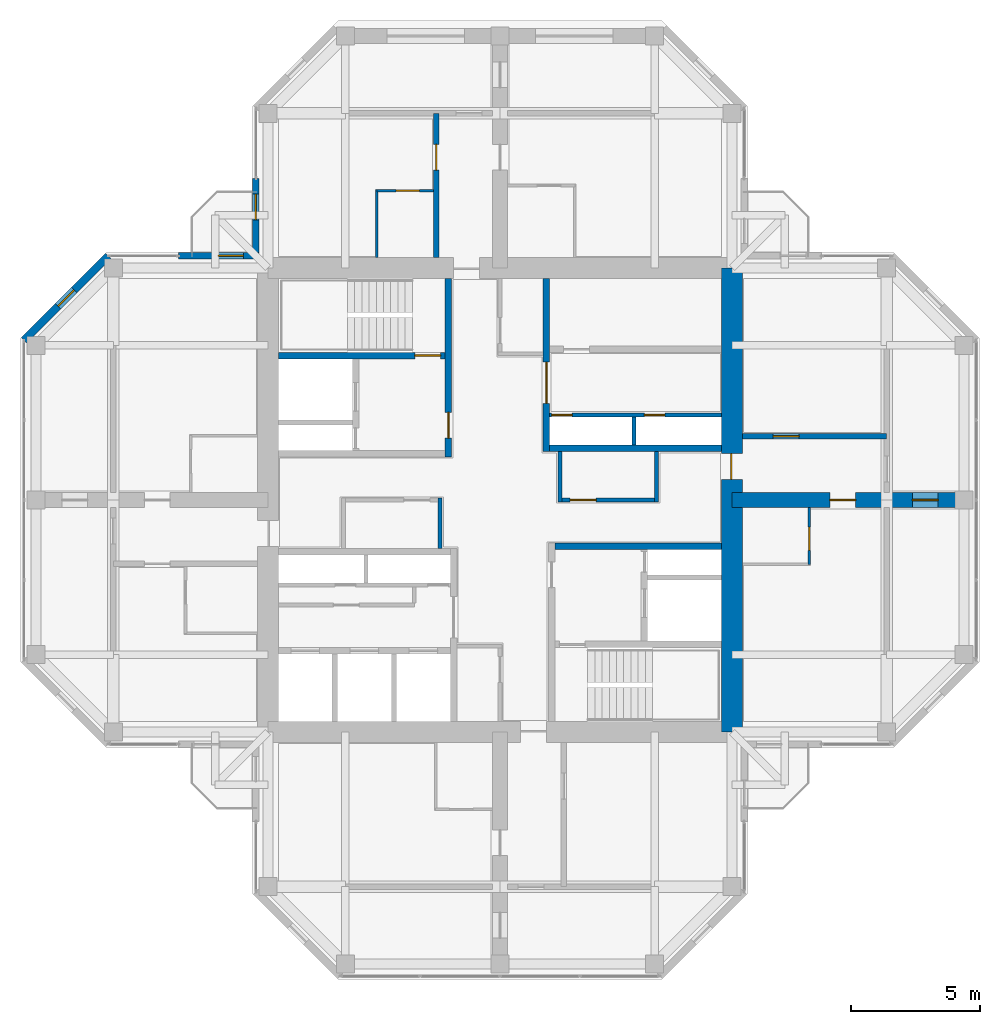
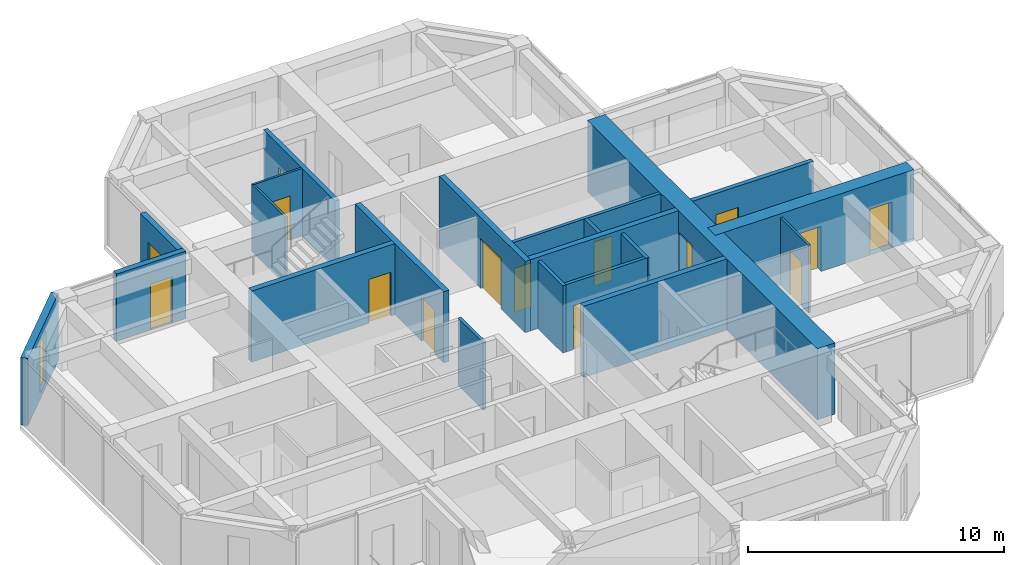
# One storey, part 10 of 13: 21 walls, 15 doors, 1 window, 16 openings.
"""IFC4 building model written with IfcOpenShell, lengths in metres."""

from ifc_helpers import new_model, si_unit, direction, frame, frame_2d, origin, place, context, subcontext, project, spatial, rectangle, hollow_rectangle, extrude, material, layer, layer_set, constituent, constituent_set, type_object, element, fill, save


model = new_model("IFC4")

# Units and contexts
model_context = context("Model", 3, precision=1e-05, world=origin(), true_north=direction((0.0, 1.0)))
body_context = subcontext(model_context, "Body", "Model", "MODEL_VIEW")
ifc_project = project(units=[si_unit("LENGTHUNIT", "METRE"), si_unit("AREAUNIT", "SQUARE_METRE"), si_unit("VOLUMEUNIT", "CUBIC_METRE"), si_unit("PLANEANGLEUNIT", "RADIAN"), si_unit("MASSUNIT", "GRAM", prefix="KILO")], contexts=[model_context])

# Site, building, storey
site_placement = place(None, origin())
site = spatial("IfcSite", under=ifc_project, at=site_placement, CompositionType="ELEMENT")
building_placement = place(site_placement, origin())
building = spatial("IfcBuilding", under=site, at=building_placement, Name="Torre Cruceta", CompositionType="ELEMENT")
storey_placement = place(building_placement, frame((0.0, 0.0, 267.89990234375)))
storey = spatial("IfcBuildingStorey", under=building, at=storey_placement, Name="L69", CompositionType="ELEMENT", Elevation=267.89990234375)

# Wall
ifc_material_1 = material(Name="Water-resistant plasterboard on steel studs", Category="steel")
ifc_layer_1 = layer(ifc_material_1, 0.10009765625)
ifc_layer_set_1 = layer_set([ifc_layer_1], Name="Water-resistant plasterboard on steel studs")
wall_type_1 = type_object("IfcWallType", Name="BATHROOM WALL 100", PredefinedType="PARTITIONING", material=ifc_layer_set_1)
wall_1_placement = place(storey_placement, frame((-4.77490234375, 9.39990234375, 0.0), z_axis=(0.0, 0.0, 1.0), x_axis=(0.0, 1.0, 0.0)))
element("IfcWall", 1, at=wall_1_placement, inside=storey, type_object=wall_type_1, Name="PT4 L69-N-U1LBB", PredefinedType="PARTITIONING", context=body_context, shape_type="SweptSolid", body=[
    extrude(rectangle(XDim=2.650146484375, YDim=0.10009765625, at=frame_2d((1.3251953125, 0.0))), origin(), (0.0, 0.0, 1.0), 3.22021484375),
])

# Wall, opening, door
wall_2_placement = place(storey_placement, frame((-2.574951171875, 12.0, 0.0), z_axis=(0.0, 0.0, 1.0), x_axis=(-1.0, 0.0, 0.0)))
wall_2 = element("IfcWall", 2, at=wall_2_placement, inside=storey, type_object=wall_type_1, Name="PT4 L69-N-U1LBS", PredefinedType="PARTITIONING", context=body_context, shape_type="SweptSolid", body=[
    extrude(rectangle(XDim=2.199951171875, YDim=0.10009765625, at=frame_2d((1.10009765625, 0.0))), origin(), (0.0, 0.0, 1.0), 3.22021484375),
])
opening_1_placement = place(wall_2_placement, frame((0.550048828125, 0.0, 0.0)))
opening_1 = element("IfcOpeningElement", 3, at=opening_1_placement, cuts=wall_2, Name="Opening D7", PredefinedType="OPENING", context=body_context, shape_type="SweptSolid", body=[
    extrude(rectangle(XDim=0.89990234375, YDim=2.10009765625, at=frame_2d((0.449951171875, 1.050048828125))), frame((0.0, 0.06005859375, 0.0), z_axis=(0.0, -1.0, 0.0), x_axis=(1.0, 0.0, 0.0)), (0.0, 0.0, 1.0), 0.1201171875),
])
ifc_material_2 = material(Name="Timber door", Category="wood")
door_type_1 = type_object("IfcDoorType", Name="BATHROOM DOOR 900X2100", OperationType="SINGLE_SWING_LEFT", PredefinedType="DOOR", material=ifc_material_2)
door_1_placement = place(opening_1_placement, origin())
door_1 = element("IfcDoor", 4, at=door_1_placement, inside=storey, type_object=door_type_1, Name="D7 L69-N-U1LBS-D1", OperationType="SINGLE_SWING_LEFT", OverallHeight=2.10009765625, OverallWidth=0.89990234375, PredefinedType="DOOR", context=body_context, shape_type="SweptSolid", body=[
    extrude(rectangle(XDim=0.89990234375, YDim=2.10009765625, at=frame_2d((0.449951171875, 1.050048828125))), frame((0.0, 0.02490234375, 0.0), z_axis=(0.0, -1.0, 0.0), x_axis=(1.0, 0.0, 0.0)), (0.0, 0.0, 1.0), 0.050048828125),
])
fill(opening_1, door_1)

wall_3_placement = place(storey_placement, frame((12.0, -2.5, 0.0), z_axis=(0.0, 0.0, 1.0), x_axis=(0.0, 1.0, 0.0)))
wall_3 = element("IfcWall", 5, at=wall_3_placement, inside=storey, type_object=wall_type_1, Name="PT4 L69-E-U1RBS", PredefinedType="PARTITIONING", context=body_context, shape_type="SweptSolid", body=[
    extrude(rectangle(XDim=2.199951171875, YDim=0.10009765625, at=frame_2d((1.10009765625, 0.0))), origin(), (0.0, 0.0, 1.0), 3.22021484375),
])
opening_2_placement = place(wall_3_placement, frame((0.550048828125, 0.0, 0.0)))
opening_2 = element("IfcOpeningElement", 6, at=opening_2_placement, cuts=wall_3, Name="Opening D7", PredefinedType="OPENING", context=body_context, shape_type="SweptSolid", body=[
    extrude(rectangle(XDim=0.89990234375, YDim=2.10009765625, at=frame_2d((0.449951171875, 1.050048828125))), frame((0.0, 0.06005859375, 0.0), z_axis=(0.0, -1.0, 0.0), x_axis=(1.0, 0.0, 0.0)), (0.0, 0.0, 1.0), 0.1201171875),
])
door_2_placement = place(opening_2_placement, origin())
door_2 = element("IfcDoor", 7, at=door_2_placement, inside=storey, type_object=door_type_1, Name="D7 L69-E-U1RBS-D1", OperationType="SINGLE_SWING_LEFT", OverallHeight=2.10009765625, OverallWidth=0.89990234375, PredefinedType="DOOR", context=body_context, shape_type="SweptSolid", body=[
    extrude(rectangle(XDim=0.89990234375, YDim=2.10009765625, at=frame_2d((0.449951171875, 1.050048828125))), frame((0.0, 0.02490234375, 0.0), z_axis=(0.0, -1.0, 0.0), x_axis=(1.0, 0.0, 0.0)), (0.0, 0.0, 1.0), 0.050048828125),
])
fill(opening_2, door_2)

ifc_material_3 = material(Name="Concrete G60 (fck 60 MPa)", Category="concrete")
ifc_layer_2 = layer(ifc_material_3, 0.25)
ifc_layer_set_2 = layer_set([ifc_layer_2], Name="Concrete G60 (fck 60 MPa)")
wall_type_2 = type_object("IfcWallType", Name="CORE INNER WALL 250 G60", PredefinedType="SHEAR", material=ifc_layer_set_2)
wall_4_placement = place(storey_placement, frame((1.800048828125, 1.875, 0.0), z_axis=(0.0, 0.0, 1.0), x_axis=(0.0, 1.0, 0.0)))
wall_4 = element("IfcWall", 8, at=wall_4_placement, inside=storey, type_object=wall_type_2, Name="CW4 L69 NE-CU", PredefinedType="SHEAR", context=body_context, shape_type="SweptSolid", body=[
    extrude(rectangle(XDim=6.72509765625, YDim=0.25, at=frame_2d((3.362548828125, 0.0))), origin(), (0.0, 0.0, 1.0), 3.400146484375),
])
opening_3_placement = place(wall_4_placement, frame((1.875, 0.0, 0.0)))
opening_3 = element("IfcOpeningElement", 9, at=opening_3_placement, cuts=wall_4, Name="Opening D15", PredefinedType="OPENING", context=body_context, shape_type="SweptSolid", body=[
    extrude(rectangle(XDim=1.60009765625, YDim=2.39990234375, at=frame_2d((0.800048828125, 1.199951171875))), frame((0.0, 0.135009765625, 0.0), z_axis=(0.0, -1.0, 0.0), x_axis=(1.0, 0.0, 0.0)), (0.0, 0.0, 1.0), 0.27001953125),
])
ifc_material_4 = material(Name="Steel DX51D", Category="steel")
ifc_constituent_1 = constituent(ifc_material_4, Name="Leaf and frame")
ifc_material_5 = material(Name="Polyester powder coating", Category="paint")
ifc_constituent_2 = constituent(ifc_material_5, Name="Finish")
ifc_constituent_set_1 = constituent_set(constituents=[ifc_constituent_1, ifc_constituent_2], Name="Steel fire door")
door_type_2 = type_object("IfcDoorType", Name="CORE ROOM DOUBLE DOOR 1600X2400", OperationType="DOUBLE_DOOR_SINGLE_SWING", PredefinedType="DOOR", material=ifc_constituent_set_1)
door_3_placement = place(opening_3_placement, frame((1.60009765625, 0.0, 0.0), z_axis=(0.0, 0.0, 1.0), x_axis=(-1.0, 0.0, 0.0)))
door_3 = element("IfcDoor", 10, at=door_3_placement, inside=storey, type_object=door_type_2, Name="D15 L69 NE-LOBBY", OperationType="DOUBLE_DOOR_SINGLE_SWING", OverallHeight=2.39990234375, OverallWidth=1.60009765625, PredefinedType="DOOR", context=body_context, shape_type="SweptSolid", body=[
    extrude(rectangle(XDim=1.60009765625, YDim=2.39990234375, at=frame_2d((0.800048828125, 1.199951171875))), frame((0.0, 0.025146484375, 0.0), z_axis=(0.0, -1.0, 0.0), x_axis=(1.0, 0.0, 0.0)), (0.0, 0.0, 1.0), 0.050048828125),
])
fill(opening_3, door_3)

# Wall
wall_5_placement = place(storey_placement, frame((1.925048828125, 2.0, 0.0), z_axis=(0.0, 0.0, 1.0), x_axis=(1.0, 0.0, 0.0)))
element("IfcWall", 11, at=wall_5_placement, inside=storey, type_object=wall_type_2, Name="CW4 L69 NE-CV", PredefinedType="SHEAR", context=body_context, shape_type="SweptSolid", body=[
    extrude(rectangle(XDim=6.675048828125, YDim=0.25, at=frame_2d((3.33740234375, 0.0))), origin(), (0.0, 0.0, 1.0), 3.400146484375),
])

# Wall, opening, door
wall_6_placement = place(storey_placement, frame((-2.0, 1.675048828125, 0.0), z_axis=(0.0, 0.0, 1.0), x_axis=(0.0, 1.0, 0.0)))
wall_6 = element("IfcWall", 12, at=wall_6_placement, inside=storey, type_object=wall_type_2, Name="CW4 L69 NW-CU", PredefinedType="SHEAR", context=body_context, shape_type="SweptSolid", body=[
    extrude(rectangle(XDim=6.925048828125, YDim=0.25, at=frame_2d((3.46240234375, 0.0))), origin(), (0.0, 0.0, 1.0), 3.400146484375),
])
opening_4_placement = place(wall_6_placement, frame((0.72509765625, 0.0, 0.0)))
opening_4 = element("IfcOpeningElement", 13, at=opening_4_placement, cuts=wall_6, Name="Opening D3", PredefinedType="OPENING", context=body_context, shape_type="SweptSolid", body=[
    extrude(rectangle(XDim=1.0, YDim=2.10009765625, at=frame_2d((0.5, 1.050048828125))), frame((0.0, 0.135009765625, 0.0), z_axis=(0.0, -1.0, 0.0), x_axis=(1.0, 0.0, 0.0)), (0.0, 0.0, 1.0), 0.27001953125),
])
ifc_material_6 = material(Name="Steel DX51D", Category="steel")
ifc_constituent_3 = constituent(ifc_material_6, Name="Leaf and frame")
ifc_material_7 = material(Name="Polyester powder coating", Category="paint")
ifc_constituent_4 = constituent(ifc_material_7, Name="Finish")
ifc_constituent_set_2 = constituent_set(constituents=[ifc_constituent_3, ifc_constituent_4], Name="Steel fire door")
door_type_3 = type_object("IfcDoorType", Name="FIRE DOOR 1000X2100", OperationType="SINGLE_SWING_LEFT", PredefinedType="DOOR", material=ifc_constituent_set_2)
door_4_placement = place(opening_4_placement, origin())
door_4 = element("IfcDoor", 14, at=door_4_placement, inside=storey, type_object=door_type_3, Name="D3 L69 NW-LOBBY", OperationType="SINGLE_SWING_LEFT", OverallHeight=2.10009765625, OverallWidth=1.0, PredefinedType="DOOR", context=body_context, shape_type="SweptSolid", body=[
    extrude(rectangle(XDim=1.0, YDim=2.10009765625, at=frame_2d((0.5, 1.050048828125))), frame((0.0, 0.02490234375, 0.0), z_axis=(0.0, -1.0, 0.0), x_axis=(1.0, 0.0, 0.0)), (0.0, 0.0, 1.0), 0.050048828125),
])
fill(opening_4, door_4)

wall_7_placement = place(storey_placement, frame((-2.125, 5.60009765625, 0.0), z_axis=(0.0, 0.0, 1.0), x_axis=(-1.0, 0.0, 0.0)))
wall_7 = element("IfcWall", 15, at=wall_7_placement, inside=storey, type_object=wall_type_2, Name="CW4 L69 NW-SV", PredefinedType="SHEAR", context=body_context, shape_type="SweptSolid", body=[
    extrude(rectangle(XDim=6.47509765625, YDim=0.25, at=frame_2d((3.237548828125, 0.0))), origin(), (0.0, 0.0, 1.0), 3.400146484375),
])
opening_5_placement = place(wall_7_placement, frame((0.175048828125, 0.0, 0.0)))
opening_5 = element("IfcOpeningElement", 16, at=opening_5_placement, cuts=wall_7, Name="Opening D3", PredefinedType="OPENING", context=body_context, shape_type="SweptSolid", body=[
    extrude(rectangle(XDim=1.0, YDim=2.10009765625, at=frame_2d((0.5, 1.050048828125))), frame((0.0, 0.135009765625, 0.0), z_axis=(0.0, -1.0, 0.0), x_axis=(1.0, 0.0, 0.0)), (0.0, 0.0, 1.0), 0.27001953125),
])
door_5_placement = place(opening_5_placement, frame((1.0, 0.0, 0.0), z_axis=(0.0, 0.0, 1.0), x_axis=(-1.0, 0.0, 0.0)))
door_5 = element("IfcDoor", 17, at=door_5_placement, inside=storey, type_object=door_type_3, Name="D3 L69 NW-STAIR", OperationType="SINGLE_SWING_RIGHT", OverallHeight=2.10009765625, OverallWidth=1.0, PredefinedType="DOOR", context=body_context, shape_type="SweptSolid", body=[
    extrude(rectangle(XDim=1.0, YDim=2.10009765625, at=frame_2d((0.5, 1.050048828125))), frame((0.0, 0.025146484375, 0.0), z_axis=(0.0, -1.0, 0.0), x_axis=(1.0, 0.0, 0.0)), (0.0, 0.0, 1.0), 0.050048828125),
])
fill(opening_5, door_5)

# Wall
wall_8_placement = place(storey_placement, frame((2.125, -1.800048828125, 0.0), z_axis=(0.0, 0.0, 1.0), x_axis=(1.0, 0.0, 0.0)))
element("IfcWall", 18, at=wall_8_placement, inside=storey, type_object=wall_type_2, Name="CW4 L69 SE-CV", PredefinedType="SHEAR", context=body_context, shape_type="SweptSolid", body=[
    extrude(rectangle(XDim=6.47509765625, YDim=0.25, at=frame_2d((3.237548828125, 0.0))), origin(), (0.0, 0.0, 1.0), 3.400146484375),
])

# Wall, opening, door
ifc_material_8 = material(Name="Concrete G60 (fck 60 MPa)", Category="concrete")
ifc_layer_3 = layer(ifc_material_8, 0.800048828125)
ifc_layer_set_3 = layer_set([ifc_layer_3], Name="Concrete G60 (fck 60 MPa)")
wall_type_3 = type_object("IfcWallType", Name="CORE WALL 800 G60", PredefinedType="SHEAR", material=ifc_layer_set_3)
wall_9_placement = place(storey_placement, frame((9.0, -9.0, 0.0), z_axis=(0.0, 0.0, 1.0), x_axis=(0.0, 1.0, 0.0)))
wall_9 = element("IfcWall", 19, at=wall_9_placement, inside=storey, type_object=wall_type_3, Name="CW3 L69 CW-E", PredefinedType="SHEAR", context=body_context, shape_type="SweptSolid", body=[
    extrude(rectangle(XDim=18.0, YDim=0.800048828125, at=frame_2d((9.0, 0.0))), origin(), (0.0, 0.0, 1.0), 3.400146484375),
])
opening_6_placement = place(wall_9_placement, frame((9.800048828125, 0.0, 0.0)))
opening_6 = element("IfcOpeningElement", 20, at=opening_6_placement, cuts=wall_9, Name="Opening D4", PredefinedType="OPENING", context=body_context, shape_type="SweptSolid", body=[
    extrude(rectangle(XDim=1.0, YDim=2.39990234375, at=frame_2d((0.5, 1.199951171875))), frame((0.0, 0.409912109375, 0.0), z_axis=(0.0, -1.0, 0.0), x_axis=(1.0, 0.0, 0.0)), (0.0, 0.0, 1.0), 0.820068359375),
])
ifc_material_9 = material(Name="Steel DX51D", Category="steel")
ifc_constituent_5 = constituent(ifc_material_9, Name="Leaf and frame")
ifc_material_10 = material(Name="Polyester powder coating", Category="paint")
ifc_constituent_6 = constituent(ifc_material_10, Name="Finish")
ifc_constituent_set_3 = constituent_set(constituents=[ifc_constituent_5, ifc_constituent_6], Name="Steel fire door")
door_type_4 = type_object("IfcDoorType", Name="CORE ARM DOOR 1000X2400", OperationType="SINGLE_SWING_RIGHT", PredefinedType="DOOR", material=ifc_constituent_set_3)
door_6_placement = place(opening_6_placement, origin())
door_6 = element("IfcDoor", 21, at=door_6_placement, inside=storey, type_object=door_type_4, Name="D4 L69 CW-E", OperationType="SINGLE_SWING_RIGHT", OverallHeight=2.39990234375, OverallWidth=1.0, PredefinedType="DOOR", context=body_context, shape_type="SweptSolid", body=[
    extrude(rectangle(XDim=1.0, YDim=2.39990234375, at=frame_2d((0.5, 1.199951171875))), frame((0.0, 0.05517578125, 0.0), z_axis=(0.0, -1.0, 0.0), x_axis=(1.0, 0.0, 0.0)), (0.0, 0.0, 1.0), 0.050048828125),
])
fill(opening_6, door_6)

ifc_material_11 = material(Name="Concrete G25 (fck 25 MPa)", Category="concrete")
ifc_layer_4 = layer(ifc_material_11, 0.199951171875)
ifc_layer_set_4 = layer_set([ifc_layer_4], Name="Concrete G25 (fck 25 MPa)")
wall_type_4 = type_object("IfcWallType", Name="CORRIDOR WALL 200", PredefinedType="SOLIDWALL", material=ifc_layer_set_4)
wall_10_placement = place(storey_placement, frame((-2.47509765625, 9.39990234375, 0.0), z_axis=(0.0, 0.0, 1.0), x_axis=(0.0, 1.0, 0.0)))
wall_10 = element("IfcWall", 22, at=wall_10_placement, inside=storey, type_object=wall_type_4, Name="PT3 L69-N-CL", PredefinedType="SOLIDWALL", context=body_context, shape_type="SweptSolid", body=[
    extrude(rectangle(XDim=5.60009765625, YDim=0.199951171875, at=frame_2d((2.800048828125, 0.0))), origin(), (0.0, 0.0, 1.0), 3.22021484375),
])
opening_7_placement = place(wall_10_placement, frame((3.39990234375, 0.0, 0.0)))
opening_7 = element("IfcOpeningElement", 23, at=opening_7_placement, cuts=wall_10, Name="Opening D6", PredefinedType="OPENING", context=body_context, shape_type="SweptSolid", body=[
    extrude(rectangle(XDim=1.0, YDim=2.14990234375, at=frame_2d((0.5, 1.074951171875))), frame((0.0, 0.10986328125, 0.0), z_axis=(0.0, -1.0, 0.0), x_axis=(1.0, 0.0, 0.0)), (0.0, 0.0, 1.0), 0.219970703125),
])
ifc_material_12 = material(Name="Timber fire door", Category="wood")
door_type_5 = type_object("IfcDoorType", Name="UNIT ENTRANCE DOOR 1000X2150", OperationType="SINGLE_SWING_LEFT", PredefinedType="DOOR", material=ifc_material_12)
door_7_placement = place(opening_7_placement, origin())
door_7 = element("IfcDoor", 24, at=door_7_placement, inside=storey, type_object=door_type_5, Name="D6 L69-N-CL-D1", OperationType="SINGLE_SWING_LEFT", OverallHeight=2.14990234375, OverallWidth=1.0, PredefinedType="DOOR", context=body_context, shape_type="SweptSolid", body=[
    extrude(rectangle(XDim=1.0, YDim=2.14990234375, at=frame_2d((0.5, 1.074951171875))), frame((0.0, 0.02490234375, 0.0), z_axis=(0.0, -1.0, 0.0), x_axis=(1.0, 0.0, 0.0)), (0.0, 0.0, 1.0), 0.050048828125),
])
fill(opening_7, door_7)

wall_11_placement = place(storey_placement, frame((9.39990234375, 2.47509765625, 0.0), z_axis=(0.0, 0.0, 1.0), x_axis=(1.0, 0.0, 0.0)))
wall_11 = element("IfcWall", 25, at=wall_11_placement, inside=storey, type_object=wall_type_4, Name="PT3 L69-E-CL", PredefinedType="SOLIDWALL", context=body_context, shape_type="SweptSolid", body=[
    extrude(rectangle(XDim=5.60009765625, YDim=0.199951171875, at=frame_2d((2.800048828125, 0.0))), origin(), (0.0, 0.0, 1.0), 3.22021484375),
])
opening_8_placement = place(wall_11_placement, frame((1.199951171875, 0.0, 0.0)))
opening_8 = element("IfcOpeningElement", 26, at=opening_8_placement, cuts=wall_11, Name="Opening D14", PredefinedType="OPENING", context=body_context, shape_type="SweptSolid", body=[
    extrude(rectangle(XDim=1.0, YDim=2.199951171875, at=frame_2d((0.5, 1.10009765625))), frame((0.0, 0.10986328125, 0.0), z_axis=(0.0, -1.0, 0.0), x_axis=(1.0, 0.0, 0.0)), (0.0, 0.0, 1.0), 0.219970703125),
])
ifc_material_13 = material(Name="Steel DX51D", Category="steel")
ifc_constituent_7 = constituent(ifc_material_13, Name="Leaf and frame")
ifc_material_14 = material(Name="Polyester powder coating", Category="paint")
ifc_constituent_8 = constituent(ifc_material_14, Name="Finish")
ifc_material_15 = material(Name="Fire-resisting glass", Category="glass")
ifc_constituent_9 = constituent(ifc_material_15, Name="Vision panel")
ifc_constituent_set_4 = constituent_set(constituents=[ifc_constituent_7, ifc_constituent_8, ifc_constituent_9], Name="Steel fire door with vision panel")
door_type_6 = type_object("IfcDoorType", Name="FIRE DOOR VISION PANEL 1000X2200", OperationType="SINGLE_SWING_RIGHT", PredefinedType="DOOR", material=ifc_constituent_set_4)
door_8_placement = place(opening_8_placement, origin())
door_8 = element("IfcDoor", 27, at=door_8_placement, inside=storey, type_object=door_type_6, Name="D14 L69-E-CL-D1", OperationType="SINGLE_SWING_LEFT", OverallHeight=2.199951171875, OverallWidth=1.0, PredefinedType="DOOR", context=body_context, shape_type="SweptSolid", body=[
    extrude(rectangle(XDim=1.0, YDim=2.199951171875, at=frame_2d((0.5, 1.10009765625))), frame((0.0, 0.02490234375, 0.0), z_axis=(0.0, -1.0, 0.0), x_axis=(1.0, 0.0, 0.0)), (0.0, 0.0, 1.0), 0.050048828125),
])
fill(opening_8, door_8)

# Wall, opening, window
ifc_material_16 = material(Name="Concrete G30 (fck 30 MPa)", Category="concrete")
ifc_layer_5 = layer(ifc_material_16, 0.300048828125)
ifc_layer_set_5 = layer_set([ifc_layer_5], Name="Concrete G30 (fck 30 MPa)")
wall_type_5 = type_object("IfcWallType", Name="EXPOSED CONCRETE FACADE WALL 300", PredefinedType="SOLIDWALL", material=ifc_layer_set_5)
wall_12_placement = place(storey_placement, frame((-15.194580078125, 9.469970703125, 0.0), z_axis=(0.0, 0.0, 1.0), x_axis=(-0.707106781187, -0.707106781187, 0.0)))
wall_12 = element("IfcWall", 28, at=wall_12_placement, inside=storey, type_object=wall_type_5, Name="EW1 facade wall L69 W chamfer 11", PredefinedType="SOLIDWALL", context=body_context, shape_type="SweptSolid", body=[
    extrude(rectangle(XDim=4.632080078125, YDim=0.300048828125, at=frame_2d((2.31591796875, 0.0))), origin(), (0.0, 0.0, 1.0), 3.22021484375),
])
opening_9_placement = place(wall_12_placement, frame((1.865966796875, 0.0, 0.300048828125)))
opening_9 = element("IfcOpeningElement", 29, at=opening_9_placement, cuts=wall_12, Name="Opening WN5", PredefinedType="OPENING", context=body_context, shape_type="SweptSolid", body=[
    extrude(rectangle(XDim=0.89990234375, YDim=2.39990234375, at=frame_2d((0.449951171875, 1.199951171875))), frame((0.0, 0.159912109375, 0.0), z_axis=(0.0, -1.0, 0.0), x_axis=(1.0, 0.0, 0.0)), (0.0, 0.0, 1.0), 0.320068359375),
])
ifc_material_17 = material(Name="Aluminium window frame", Category="aluminium")
ifc_constituent_10 = constituent(ifc_material_17, Name="Frame")
ifc_material_18 = material(Name="Laminated insulating glass unit, low-iron clear", Category="glass")
ifc_constituent_11 = constituent(ifc_material_18, Name="Glazing")
ifc_constituent_set_5 = constituent_set(constituents=[ifc_constituent_10, ifc_constituent_11], Name="Aluminium window")
window_type = type_object("IfcWindowType", Name="CHAMFER SLOT WINDOW 900X2400", PartitioningType="SINGLE_PANEL", PredefinedType="WINDOW", material=ifc_constituent_set_5)
window_placement = place(opening_9_placement, origin())
window = element("IfcWindow", 30, at=window_placement, inside=storey, type_object=window_type, Name="WN5 L69 W 1", OverallHeight=2.39990234375, OverallWidth=0.89990234375, PartitioningType="SINGLE_PANEL", PredefinedType="WINDOW", context=body_context, shape_type="SweptSolid", body=[
    extrude(hollow_rectangle(XDim=0.89990234375, YDim=2.39990234375, WallThickness=0.06005859375, at=frame_2d((0.449951171875, 1.199951171875))), frame((0.0, 0.030029296875, 0.0), z_axis=(0.0, -1.0, 0.0), x_axis=(1.0, 0.0, 0.0)), (0.0, 0.0, 1.0), 0.06005859375),
    extrude(rectangle(XDim=0.77880859375, YDim=2.27880859375, at=frame_2d((0.449951171875, 1.199951171875))), frame((0.0, 0.030029296875, 0.0), z_axis=(0.0, -1.0, 0.0), x_axis=(1.0, 0.0, 0.0)), (0.0, 0.0, 1.0), 0.06005859375),
])
fill(opening_9, window)

# Wall, opening, door
ifc_material_19 = material(Name="Plasterboard on steel studs", Category="steel")
ifc_layer_6 = layer(ifc_material_19, 0.14990234375)
ifc_layer_set_6 = layer_set([ifc_layer_6], Name="Plasterboard on steel studs")
wall_type_6 = type_object("IfcWallType", Name="PARTITION 150", PredefinedType="PARTITIONING", material=ifc_layer_set_6)
wall_13_placement = place(storey_placement, frame((2.324951171875, 0.0, 0.0), z_axis=(0.0, 0.0, 1.0), x_axis=(1.0, 0.0, 0.0)))
wall_13 = element("IfcWall", 31, at=wall_13_placement, inside=storey, type_object=wall_type_6, Name="PT1 L69-CORE-LEGE-N-W1", PredefinedType="PARTITIONING", context=body_context, shape_type="SweptSolid", body=[
    extrude(rectangle(XDim=3.75, YDim=0.14990234375, at=frame_2d((1.875, 0.0))), origin(), (0.0, 0.0, 1.0), 3.22021484375),
])
opening_10_placement = place(wall_13_placement, frame((0.39990234375, 0.0, 0.0)))
opening_10 = element("IfcOpeningElement", 32, at=opening_10_placement, cuts=wall_13, Name="Opening D3", PredefinedType="OPENING", context=body_context, shape_type="SweptSolid", body=[
    extrude(rectangle(XDim=1.0, YDim=2.10009765625, at=frame_2d((0.5, 1.050048828125))), frame((0.0, 0.0849609375, 0.0), z_axis=(0.0, -1.0, 0.0), x_axis=(1.0, 0.0, 0.0)), (0.0, 0.0, 1.0), 0.169921875),
])
door_9_placement = place(opening_10_placement, origin())
door_9 = element("IfcDoor", 33, at=door_9_placement, inside=storey, type_object=door_type_3, Name="D3 L69-CORE-LEGE-N-W1-D1", OperationType="SINGLE_SWING_LEFT", OverallHeight=2.10009765625, OverallWidth=1.0, PredefinedType="DOOR", context=body_context, shape_type="SweptSolid", body=[
    extrude(rectangle(XDim=1.0, YDim=2.10009765625, at=frame_2d((0.5, 1.050048828125))), frame((0.0, 0.02490234375, 0.0), z_axis=(0.0, -1.0, 0.0), x_axis=(1.0, 0.0, 0.0)), (0.0, 0.0, 1.0), 0.050048828125),
])
fill(opening_10, door_9)

# Walls
for number, where, z_axis, x_axis, name in (
    (34, (2.324951171875, 1.875, 0.0), (0.0, 0.0, 1.0), (0.0, -1.0, 0.0), "PT1 L69-CORE-LEGE-N-W2"),
    (35, (6.074951171875, -0.074951171875, 0.0), (0.0, 0.0, 1.0), (0.0, 1.0, 0.0), "PT1 L69-CORE-LEGE-N-W3"),
    (36, (-2.324951171875, -1.875, 0.0), (0.0, 0.0, 1.0), (0.0, 1.0, 0.0), "PT1 L69-CORE-LEGW-S-W2"),
):
    element("IfcWall", number, at=place(storey_placement, frame(where, z_axis=z_axis, x_axis=x_axis)), inside=storey, type_object=wall_type_6, Name=name, PredefinedType="PARTITIONING", context=body_context, shape_type="SweptSolid", body=[
        extrude(rectangle(XDim=1.949951171875, YDim=0.14990234375, at=frame_2d((0.97509765625, 0.0))), origin(), (0.0, 0.0, 1.0), 3.22021484375),
    ])

# Wall, openings, doors
ifc_material_20 = material(Name="Concrete block masonry", Category="masonry")
ifc_layer_7 = layer(ifc_material_20, 0.14990234375)
ifc_layer_set_7 = layer_set([ifc_layer_7], Name="Concrete block masonry")
wall_type_7 = type_object("IfcWallType", Name="RISER WALL 150", PredefinedType="PARTITIONING", material=ifc_layer_set_7)
wall_14_placement = place(storey_placement, frame((1.925048828125, 3.300048828125, 0.0), z_axis=(0.0, 0.0, 1.0), x_axis=(1.0, 0.0, 0.0)))
wall_14 = element("IfcWall", 37, at=wall_14_placement, inside=storey, type_object=wall_type_7, Name="SW7 L69 NE-RV", PredefinedType="PARTITIONING", context=body_context, shape_type="SweptSolid", body=[
    extrude(rectangle(XDim=6.675048828125, YDim=0.14990234375, at=frame_2d((3.33740234375, 0.0))), origin(), (0.0, 0.0, 1.0), 3.400146484375),
])
opening_11_placement = place(wall_14_placement, frame((0.074951171875, 0.0, 0.0)))
opening_11 = element("IfcOpeningElement", 38, at=opening_11_placement, cuts=wall_14, Name="Opening D5", PredefinedType="OPENING", context=body_context, shape_type="SweptSolid", body=[
    extrude(rectangle(XDim=0.800048828125, YDim=2.10009765625, at=frame_2d((0.39990234375, 1.050048828125))), frame((0.0, 0.0849609375, 0.0), z_axis=(0.0, -1.0, 0.0), x_axis=(1.0, 0.0, 0.0)), (0.0, 0.0, 1.0), 0.169921875),
])
opening_12_placement = place(wall_14_placement, frame((3.675048828125, 0.0, 0.0)))
opening_12 = element("IfcOpeningElement", 39, at=opening_12_placement, cuts=wall_14, Name="Opening D5", PredefinedType="OPENING", context=body_context, shape_type="SweptSolid", body=[
    extrude(rectangle(XDim=0.800048828125, YDim=2.10009765625, at=frame_2d((0.39990234375, 1.050048828125))), frame((0.0, 0.0849609375, 0.0), z_axis=(0.0, -1.0, 0.0), x_axis=(1.0, 0.0, 0.0)), (0.0, 0.0, 1.0), 0.169921875),
])
ifc_material_21 = material(Name="Steel DX51D", Category="steel")
ifc_constituent_12 = constituent(ifc_material_21, Name="Leaf and frame")
ifc_material_22 = material(Name="Polyester powder coating", Category="paint")
ifc_constituent_13 = constituent(ifc_material_22, Name="Finish")
ifc_constituent_set_6 = constituent_set(constituents=[ifc_constituent_12, ifc_constituent_13], Name="Steel fire door")
door_type_7 = type_object("IfcDoorType", Name="RISER ACCESS DOOR 800X2100", OperationType="SINGLE_SWING_LEFT", PredefinedType="DOOR", material=ifc_constituent_set_6)
door_10_placement = place(opening_11_placement, frame((0.800048828125, 0.0, 0.0), z_axis=(0.0, 0.0, 1.0), x_axis=(-1.0, 0.0, 0.0)))
door_10 = element("IfcDoor", 40, at=door_10_placement, inside=storey, type_object=door_type_7, Name="D5 L69 NE-RISER1", OperationType="SINGLE_SWING_RIGHT", OverallHeight=2.10009765625, OverallWidth=0.800048828125, PredefinedType="DOOR", context=body_context, shape_type="SweptSolid", body=[
    extrude(rectangle(XDim=0.800048828125, YDim=2.10009765625, at=frame_2d((0.400146484375, 1.050048828125))), frame((0.0, 0.025146484375, 0.0), z_axis=(0.0, -1.0, 0.0), x_axis=(1.0, 0.0, 0.0)), (0.0, 0.0, 1.0), 0.050048828125),
])
fill(opening_11, door_10)
door_11_placement = place(opening_12_placement, frame((0.800048828125, 0.0, 0.0), z_axis=(0.0, 0.0, 1.0), x_axis=(-1.0, 0.0, 0.0)))
door_11 = element("IfcDoor", 41, at=door_11_placement, inside=storey, type_object=door_type_7, Name="D5 L69 NE-RISER2", OperationType="SINGLE_SWING_RIGHT", OverallHeight=2.10009765625, OverallWidth=0.800048828125, PredefinedType="DOOR", context=body_context, shape_type="SweptSolid", body=[
    extrude(rectangle(XDim=0.800048828125, YDim=2.10009765625, at=frame_2d((0.400146484375, 1.050048828125))), frame((0.0, 0.025146484375, 0.0), z_axis=(0.0, -1.0, 0.0), x_axis=(1.0, 0.0, 0.0)), (0.0, 0.0, 1.0), 0.050048828125),
])
fill(opening_12, door_11)

# Wall
wall_15_placement = place(storey_placement, frame((5.199951171875, 2.125, 0.0), z_axis=(0.0, 0.0, 1.0), x_axis=(0.0, 1.0, 0.0)))
element("IfcWall", 42, at=wall_15_placement, inside=storey, type_object=wall_type_7, Name="SW7 L69 NE-RU", PredefinedType="PARTITIONING", context=body_context, shape_type="SweptSolid", body=[
    extrude(rectangle(XDim=1.10009765625, YDim=0.14990234375, at=frame_2d((0.550048828125, 0.0))), origin(), (0.0, 0.0, 1.0), 3.400146484375),
])

# Wall, openings, doors
ifc_material_23 = material(Name="Concrete G60 (fck 60 MPa)", Category="concrete")
ifc_layer_8 = layer(ifc_material_23, 0.60009765625)
ifc_layer_set_8 = layer_set([ifc_layer_8], Name="Concrete G60 (fck 60 MPa)")
wall_type_8 = type_object("IfcWallType", Name="SPINE WALL 600 G60", PredefinedType="SHEAR", material=ifc_layer_set_8)
wall_16_placement = place(storey_placement, frame((9.0, 0.0, 0.0), z_axis=(0.0, 0.0, 1.0), x_axis=(1.0, 0.0, 0.0)))
wall_16 = element("IfcWall", 43, at=wall_16_placement, inside=storey, type_object=wall_type_8, Name="SW5 spine wall L69 E", PredefinedType="SHEAR", context=body_context, shape_type="SweptSolid", body=[
    extrude(rectangle(XDim=9.0, YDim=0.60009765625, at=frame_2d((4.5, 0.0))), origin(), (0.0, 0.0, 1.0), 3.400146484375),
])
opening_13_placement = place(wall_16_placement, frame((3.800048828125, 0.0, 0.0)))
opening_13 = element("IfcOpeningElement", 44, at=opening_13_placement, cuts=wall_16, Name="Opening D6", PredefinedType="OPENING", context=body_context, shape_type="SweptSolid", body=[
    extrude(rectangle(XDim=1.0, YDim=2.14990234375, at=frame_2d((0.5, 1.074951171875))), frame((0.0, 0.31005859375, 0.0), z_axis=(0.0, -1.0, 0.0), x_axis=(1.0, 0.0, 0.0)), (0.0, 0.0, 1.0), 0.6201171875),
])
opening_14_placement = place(wall_16_placement, frame((7.0, 0.0, 0.0)))
opening_14 = element("IfcOpeningElement", 45, at=opening_14_placement, cuts=wall_16, Name="Opening D14", PredefinedType="OPENING", context=body_context, shape_type="SweptSolid", body=[
    extrude(rectangle(XDim=1.0, YDim=2.199951171875, at=frame_2d((0.5, 1.10009765625))), frame((0.0, 0.31005859375, 0.0), z_axis=(0.0, -1.0, 0.0), x_axis=(1.0, 0.0, 0.0)), (0.0, 0.0, 1.0), 0.6201171875),
])
door_12_placement = place(opening_14_placement, origin())
door_12 = element("IfcDoor", 46, at=door_12_placement, inside=storey, type_object=door_type_6, Name="D14 L69-E-SP2", OperationType="SINGLE_SWING_LEFT", OverallHeight=2.199951171875, OverallWidth=1.0, PredefinedType="DOOR", context=body_context, shape_type="SweptSolid", body=[
    extrude(rectangle(XDim=1.0, YDim=2.199951171875, at=frame_2d((0.5, 1.10009765625))), frame((0.0, 0.02490234375, 0.0), z_axis=(0.0, -1.0, 0.0), x_axis=(1.0, 0.0, 0.0)), (0.0, 0.0, 1.0), 0.050048828125),
])
fill(opening_14, door_12)
door_13_placement = place(opening_13_placement, frame((1.0, 0.0, 0.0), z_axis=(0.0, 0.0, 1.0), x_axis=(-1.0, 0.0, 0.0)))
door_13 = element("IfcDoor", 47, at=door_13_placement, inside=storey, type_object=door_type_5, Name="D6 L69-E-SP1", OperationType="SINGLE_SWING_RIGHT", OverallHeight=2.14990234375, OverallWidth=1.0, PredefinedType="DOOR", context=body_context, shape_type="SweptSolid", body=[
    extrude(rectangle(XDim=1.0, YDim=2.14990234375, at=frame_2d((0.5, 1.074951171875))), frame((0.0, 0.025146484375, 0.0), z_axis=(0.0, -1.0, 0.0), x_axis=(1.0, 0.0, 0.0)), (0.0, 0.0, 1.0), 0.050048828125),
])
fill(opening_13, door_13)

# Wall, opening, door
ifc_material_24 = material(Name="Concrete G30 (fck 30 MPa)", Category="concrete")
ifc_layer_9 = layer(ifc_material_24, 0.25)
ifc_layer_set_9 = layer_set([ifc_layer_9], Name="Concrete G30 (fck 30 MPa)")
wall_type_9 = type_object("IfcWallType", Name="WINTER GARDEN WALL 250", PredefinedType="SOLIDWALL", material=ifc_layer_set_9)
wall_17_placement = place(storey_placement, frame((-9.469970703125, 12.469970703125, 0.0), z_axis=(0.0, 0.0, 1.0), x_axis=(0.0, -1.0, 0.0)))
wall_17 = element("IfcWall", 48, at=wall_17_placement, inside=storey, type_object=wall_type_9, Name="EW2 winter garden wall L69 09", PredefinedType="SOLIDWALL", context=body_context, shape_type="SweptSolid", body=[
    extrude(rectangle(XDim=2.875, YDim=0.25, at=frame_2d((1.4375, 0.0))), origin(), (0.0, 0.0, 1.0), 3.22021484375),
])
opening_15_placement = place(wall_17_placement, frame((0.60009765625, 0.0, 0.0)))
opening_15 = element("IfcOpeningElement", 49, at=opening_15_placement, cuts=wall_17, Name="Opening D10", PredefinedType="OPENING", context=body_context, shape_type="SweptSolid", body=[
    extrude(rectangle(XDim=1.0, YDim=2.199951171875, at=frame_2d((0.5, 1.10009765625))), frame((0.0, 0.135009765625, 0.0), z_axis=(0.0, -1.0, 0.0), x_axis=(1.0, 0.0, 0.0)), (0.0, 0.0, 1.0), 0.27001953125),
])
ifc_material_25 = material(Name="Aluminium door frame", Category="aluminium")
ifc_constituent_14 = constituent(ifc_material_25, Name="Frame")
ifc_material_26 = material(Name="Laminated safety glass", Category="glass")
ifc_constituent_15 = constituent(ifc_material_26, Name="Glazing")
ifc_constituent_set_7 = constituent_set(constituents=[ifc_constituent_14, ifc_constituent_15], Name="Aluminium glazed door")
door_type_8 = type_object("IfcDoorType", Name="BALCONY DOOR 1000X2200", OperationType="SINGLE_SWING_RIGHT", PredefinedType="DOOR", material=ifc_constituent_set_7)
door_14_placement = place(opening_15_placement, origin())
door_14 = element("IfcDoor", 50, at=door_14_placement, inside=storey, type_object=door_type_8, Name="D10 balcony door L69 09", OperationType="SINGLE_SWING_RIGHT", OverallHeight=2.199951171875, OverallWidth=1.0, PredefinedType="DOOR", context=body_context, shape_type="SweptSolid", body=[
    extrude(hollow_rectangle(XDim=1.0, YDim=2.199951171875, WallThickness=0.06005859375, at=frame_2d((0.5, 1.10009765625))), frame((0.0, 0.02490234375, 0.0), z_axis=(0.0, -1.0, 0.0), x_axis=(1.0, 0.0, 0.0)), (0.0, 0.0, 1.0), 0.050048828125),
    extrude(rectangle(XDim=0.87890625, YDim=2.078857421875, at=frame_2d((0.5, 1.10009765625))), frame((0.0, 0.02490234375, 0.0), z_axis=(0.0, -1.0, 0.0), x_axis=(1.0, 0.0, 0.0)), (0.0, 0.0, 1.0), 0.050048828125),
])
fill(opening_15, door_14)

wall_18_placement = place(storey_placement, frame((-9.344970703125, 9.469970703125, 0.0), z_axis=(0.0, 0.0, 1.0), x_axis=(-1.0, 0.0, 0.0)))
wall_18 = element("IfcWall", 51, at=wall_18_placement, inside=storey, type_object=wall_type_9, Name="EW2 winter garden wall L69 10", PredefinedType="SOLIDWALL", context=body_context, shape_type="SweptSolid", body=[
    extrude(rectangle(XDim=3.125, YDim=0.25, at=frame_2d((1.5625, 0.0))), origin(), (0.0, 0.0, 1.0), 3.22021484375),
])
opening_16_placement = place(wall_18_placement, frame((0.60009765625, 0.0, 0.0)))
opening_16 = element("IfcOpeningElement", 52, at=opening_16_placement, cuts=wall_18, Name="Opening D10", PredefinedType="OPENING", context=body_context, shape_type="SweptSolid", body=[
    extrude(rectangle(XDim=1.0, YDim=2.199951171875, at=frame_2d((0.5, 1.10009765625))), frame((0.0, 0.135009765625, 0.0), z_axis=(0.0, -1.0, 0.0), x_axis=(1.0, 0.0, 0.0)), (0.0, 0.0, 1.0), 0.27001953125),
])
door_15_placement = place(opening_16_placement, origin())
door_15 = element("IfcDoor", 53, at=door_15_placement, inside=storey, type_object=door_type_8, Name="D10 balcony door L69 10", OperationType="SINGLE_SWING_LEFT", OverallHeight=2.199951171875, OverallWidth=1.0, PredefinedType="DOOR", context=body_context, shape_type="SweptSolid", body=[
    extrude(hollow_rectangle(XDim=1.0, YDim=2.199951171875, WallThickness=0.06005859375, at=frame_2d((0.5, 1.10009765625))), frame((0.0, 0.02490234375, 0.0), z_axis=(0.0, -1.0, 0.0), x_axis=(1.0, 0.0, 0.0)), (0.0, 0.0, 1.0), 0.050048828125),
    extrude(rectangle(XDim=0.87890625, YDim=2.078857421875, at=frame_2d((0.5, 1.10009765625))), frame((0.0, 0.02490234375, 0.0), z_axis=(0.0, -1.0, 0.0), x_axis=(1.0, 0.0, 0.0)), (0.0, 0.0, 1.0), 0.050048828125),
])
fill(opening_16, door_15)

save(model, "model.ifc")
